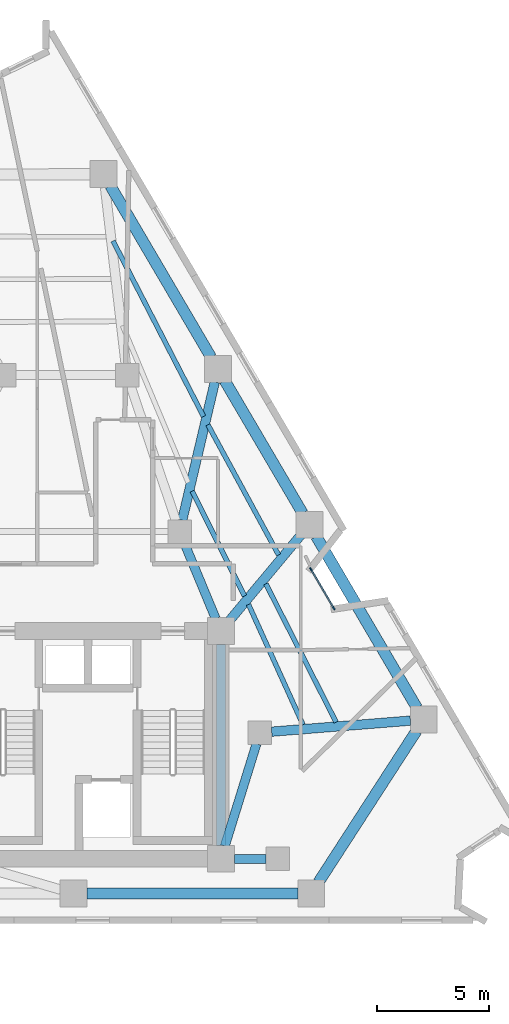
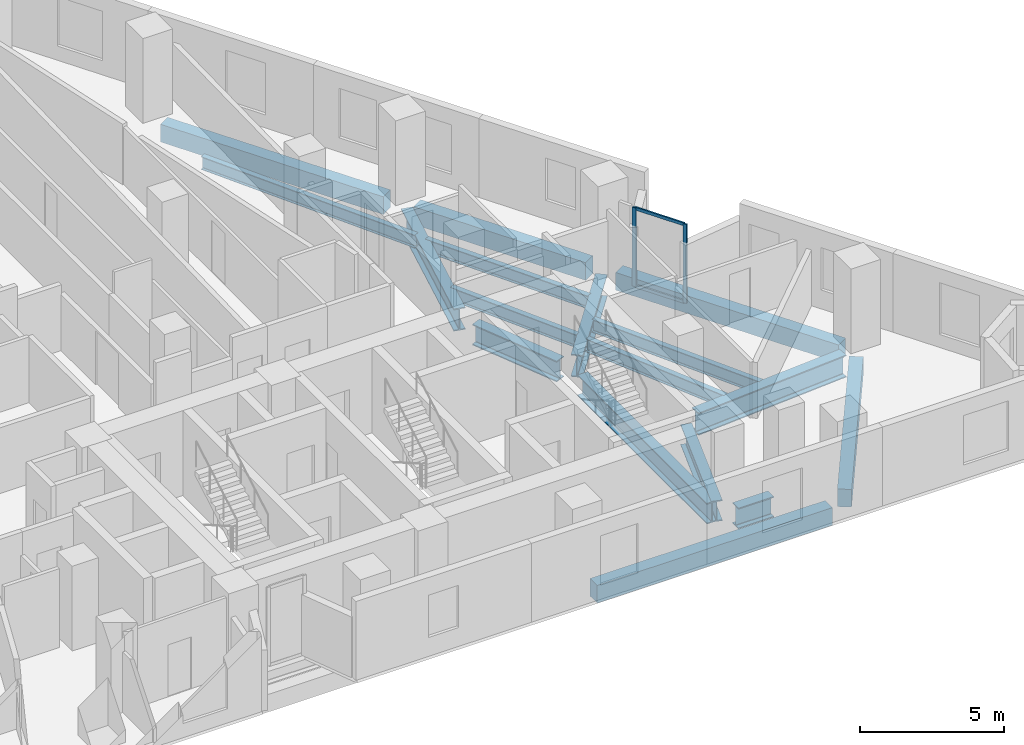
# One storey, part 4 of 12: 17 beams, 4 members, 1 element without a shape of its own.
"""IFC4 building model written with IfcOpenShell, lengths in metres."""

from ifc_helpers import new_model, si_unit, direction, frame, origin, origin_2d, place, context, subcontext, project, spatial, rectangle, i_section, extrude, material, layer, layer_set, material_profile, profile_set, type_object, element, aggregate, save


model = new_model("IFC4")

# Units and contexts
model_context = context("Model", 3, precision=1e-05, world=origin(), true_north=direction((0.0, 1.0)))
body_context = subcontext(model_context, "Body", "Model", "MODEL_VIEW")
ifc_project = project(units=[si_unit("LENGTHUNIT", "METRE"), si_unit("AREAUNIT", "SQUARE_METRE"), si_unit("VOLUMEUNIT", "CUBIC_METRE"), si_unit("PLANEANGLEUNIT", "RADIAN"), si_unit("MASSUNIT", "GRAM", prefix="KILO")], contexts=[model_context])

# Site, building, storey
site_placement = place(None, origin())
site = spatial("IfcSite", under=ifc_project, at=site_placement, CompositionType="ELEMENT")
building_placement = place(site_placement, origin())
building = spatial("IfcBuilding", under=site, at=building_placement, Name="Almagre Mirador Tower", CompositionType="ELEMENT")
storey_placement = place(building_placement, frame((0.0, 0.0, 121.199951171875)))
storey = spatial("IfcBuildingStorey", under=building, at=storey_placement, Name="L30", CompositionType="ELEMENT", Elevation=121.199951171875)

# Beams
ifc_material_1 = material(Name="Steel ASTM A992 Grade 50", Category="steel")
ifc_material_profile_1 = material_profile(ifc_material_1, i_section(OverallWidth=0.214111328125, OverallDepth=0.549072265625, WebThickness=0.0146484375, FlangeThickness=0.023681640625, FilletRadius=0.01806640625, at=origin_2d()), Name="W21X93")
ifc_profile_set_1 = profile_set([ifc_material_profile_1], Name="Steel ASTM A992 Grade 50")
beam_type_1 = type_object("IfcBeamType", Name="BM-JST-W21X93", PredefinedType="JOIST", material=ifc_profile_set_1)
beam_1_placement = place(storey_placement, frame((52.208984375, 10.667724609375, -0.5244140625), z_axis=(-0.452785638359, 0.891619406303, 0.0), x_axis=(-0.891619406303, -0.452785638359, 0.0)))
element("IfcBeam", 1, at=beam_1_placement, inside=storey, type_object=beam_type_1, Name="L30 secondary floor joist PC05-PC06.2", PredefinedType="JOIST", context=body_context, shape_type="SweptSolid", body=[
    extrude(i_section(OverallWidth=0.214111328125, OverallDepth=0.549072265625, WebThickness=0.0146484375, FlangeThickness=0.023681640625, FilletRadius=0.01806640625, at=origin_2d()), origin(), (0.0, 0.0, 1.0), 6.947021484375),
])
beam_2_placement = place(storey_placement, frame((50.726806640625, 10.552978515625, -0.5244140625), z_axis=(-0.412539238264, 0.910939831653, 0.0), x_axis=(-0.910939831653, -0.412539238264, 0.0)))
element("IfcBeam", 2, at=beam_2_placement, inside=storey, type_object=beam_type_1, Name="L30 secondary floor joist PC05-PC06.3", PredefinedType="JOIST", context=body_context, shape_type="SweptSolid", body=[
    extrude(i_section(OverallWidth=0.214111328125, OverallDepth=0.549072265625, WebThickness=0.0146484375, FlangeThickness=0.023681640625, FilletRadius=0.01806640625, at=origin_2d()), origin(), (0.0, 0.0, 1.0), 5.911376953125),
])
beam_3_placement = place(storey_placement, frame((49.63330078125, 18.156005859375, -0.5244140625), z_axis=(-0.477204081098, 0.878792503941, 0.0), x_axis=(-0.878792503941, -0.477204081098, 0.0)))
element("IfcBeam", 3, at=beam_3_placement, inside=storey, type_object=beam_type_1, Name="L30 secondary floor joist PC06-PC07.1", PredefinedType="JOIST", context=body_context, shape_type="SweptSolid", body=[
    extrude(i_section(OverallWidth=0.214111328125, OverallDepth=0.549072265625, WebThickness=0.0146484375, FlangeThickness=0.023681640625, FilletRadius=0.01806640625, at=origin_2d()), origin(), (0.0, 0.0, 1.0), 6.625244140625),
])
beam_4_placement = place(storey_placement, frame((48.1064453125, 16.31982421875, -0.5244140625), z_axis=(-0.446933948651, 0.894566959787, 0.0), x_axis=(-0.894566959787, -0.446933948651, 0.0)))
element("IfcBeam", 4, at=beam_4_placement, inside=storey, type_object=beam_type_1, Name="L30 secondary floor joist PC06-PC07.3", PredefinedType="JOIST", context=body_context, shape_type="SweptSolid", body=[
    extrude(i_section(OverallWidth=0.214111328125, OverallDepth=0.549072265625, WebThickness=0.0146484375, FlangeThickness=0.023681640625, FilletRadius=0.01806640625, at=origin_2d()), origin(), (0.0, 0.0, 1.0), 5.238525390625),
])
beam_5_placement = place(storey_placement, frame((46.27392578125, 24.352294921875, -0.5244140625), z_axis=(-0.458369241004, 0.888761857249, 0.0), x_axis=(-0.888761857249, -0.458369241004, 0.0)))
element("IfcBeam", 5, at=beam_5_placement, inside=storey, type_object=beam_type_1, Name="L30 secondary floor joist PC07-PC08.1", PredefinedType="JOIST", context=body_context, shape_type="SweptSolid", body=[
    extrude(i_section(OverallWidth=0.214111328125, OverallDepth=0.549072265625, WebThickness=0.0146484375, FlangeThickness=0.023681640625, FilletRadius=0.01806640625, at=origin_2d()), origin(), (0.0, 0.0, 1.0), 8.840087890625),
])
ifc_material_2 = material(Name="Precast concrete C50/60", Category="concrete")
ifc_material_profile_2 = material_profile(ifc_material_2, rectangle(XDim=0.5, YDim=0.75, at=origin_2d()), Name="RC500X750")
ifc_profile_set_2 = profile_set([ifc_material_profile_2], Name="Precast concrete C50/60")
beam_type_2 = type_object("IfcBeamType", Name="BM-SPN-RC500X750", PredefinedType="SPANDREL", material=ifc_profile_set_2)
beam_6_placement = place(storey_placement, frame((41.055908203125, 3.0, -0.625), z_axis=(1.0, 0.0, 0.0), x_axis=(0.0, 1.0, 0.0)))
element("IfcBeam", 6, at=beam_6_placement, inside=storey, type_object=beam_type_2, Name="L30 perimeter spandrel beam PC03-PC04", PredefinedType="SPANDREL", context=body_context, shape_type="SweptSolid", body=[
    extrude(rectangle(XDim=0.5, YDim=0.75, at=origin_2d()), origin(), (0.0, 0.0, 1.0), 9.440185546875),
])
beam_7_placement = place(storey_placement, frame((51.422119140625, 3.503662109375, -0.625), z_axis=(0.543242499017, 0.839575837707, 0.0), x_axis=(-0.839575837707, 0.543242499017, 0.0)))
element("IfcBeam", 7, at=beam_7_placement, inside=storey, type_object=beam_type_2, Name="L30 perimeter spandrel beam PC04-PC05", PredefinedType="SPANDREL", context=body_context, shape_type="SweptSolid", body=[
    extrude(rectangle(XDim=0.5, YDim=0.75, at=origin_2d()), origin(), (0.0, 0.0, 1.0), 8.071533203125),
])
beam_8_placement = place(storey_placement, frame((55.8291015625, 11.301513671875, -0.625), z_axis=(-0.506318387543, 0.862346618498, 0.0), x_axis=(-0.862346618498, -0.506318387543, 0.0)))
element("IfcBeam", 8, at=beam_8_placement, inside=storey, type_object=beam_type_2, Name="L30 perimeter spandrel beam PC05-PC06", PredefinedType="SPANDREL", context=body_context, shape_type="SweptSolid", body=[
    extrude(rectangle(XDim=0.5, YDim=0.75, at=origin_2d()), origin(), (0.0, 0.0, 1.0), 8.911865234375),
])
beam_9_placement = place(storey_placement, frame((50.709228515625, 20.021484375, -0.625), z_axis=(-0.506343227047, 0.862332033745, 0.0), x_axis=(-0.862332033745, -0.506343227047, 0.0)))
element("IfcBeam", 9, at=beam_9_placement, inside=storey, type_object=beam_type_2, Name="L30 perimeter spandrel beam PC06-PC07", PredefinedType="SPANDREL", context=body_context, shape_type="SweptSolid", body=[
    extrude(rectangle(XDim=0.5, YDim=0.75, at=origin_2d()), origin(), (0.0, 0.0, 1.0), 6.8896484375),
])
beam_10_placement = place(storey_placement, frame((46.61328125, 26.997314453125, -0.625), z_axis=(-0.506326798076, 0.862341680281, 0.0), x_axis=(-0.862341680281, -0.506326798076, 0.0)))
element("IfcBeam", 10, at=beam_10_placement, inside=storey, type_object=beam_type_2, Name="L30 perimeter spandrel beam PC07-PC08", PredefinedType="SPANDREL", context=body_context, shape_type="SweptSolid", body=[
    extrude(rectangle(XDim=0.5, YDim=0.75, at=origin_2d()), origin(), (0.0, 0.0, 1.0), 8.912109375),
])
ifc_material_3 = material(Name="Steel ASTM A992 Grade 50", Category="steel")
ifc_material_profile_3 = material_profile(ifc_material_3, i_section(OverallWidth=0.404052734375, OverallDepth=0.884033203125, WebThickness=0.0244140625, FlangeThickness=0.0439453125, FilletRadius=0.02490234375, at=origin_2d()), Name="W33X291")
ifc_profile_set_3 = profile_set([ifc_material_profile_3], Name="Steel ASTM A992 Grade 50")
beam_type_3 = type_object("IfcBeamType", Name="BM-STL-W33X291", PredefinedType="BEAM", material=ifc_profile_set_3)
beam_11_placement = place(storey_placement, frame((47.050048828125, 5.14990234375, -0.69189453125), z_axis=(0.0, 1.0, 0.0), x_axis=(-1.0, 0.0, 0.0)))
element("IfcBeam", 11, at=beam_11_placement, inside=storey, type_object=beam_type_3, Name="L30 core tie girder CC3-CC6", PredefinedType="BEAM", context=body_context, shape_type="SweptSolid", body=[
    extrude(i_section(OverallWidth=0.404052734375, OverallDepth=0.884033203125, WebThickness=0.0244140625, FlangeThickness=0.0439453125, FilletRadius=0.02490234375, at=origin_2d()), origin(), (0.0, 0.0, 1.0), 9.0),
])
beam_12_placement = place(storey_placement, frame((49.074951171875, 4.550048828125, -0.69189453125), z_axis=(-1.0, 0.0, 0.0), x_axis=(0.0, -1.0, 0.0)))
element("IfcBeam", 12, at=beam_12_placement, inside=storey, type_object=beam_type_3, Name="L30 core tie girder MC2-CC3", PredefinedType="BEAM", context=body_context, shape_type="SweptSolid", body=[
    extrude(i_section(OverallWidth=0.404052734375, OverallDepth=0.884033203125, WebThickness=0.0244140625, FlangeThickness=0.0439453125, FilletRadius=0.02490234375, at=origin_2d()), origin(), (0.0, 0.0, 1.0), 1.425048828125),
])
beam_13_placement = place(storey_placement, frame((48.644775390625, 9.698486328125, -0.69189453125), z_axis=(-0.295879743348, -0.955225197258, 0.0), x_axis=(0.955225197258, -0.295879743348, 0.0)))
element("IfcBeam", 13, at=beam_13_placement, inside=storey, type_object=beam_type_3, Name="L30 core tie girder MC3-CC3", PredefinedType="BEAM", context=body_context, shape_type="SweptSolid", body=[
    extrude(i_section(OverallWidth=0.404052734375, OverallDepth=0.884033203125, WebThickness=0.0244140625, FlangeThickness=0.0439453125, FilletRadius=0.02490234375, at=origin_2d()), origin(), (0.0, 0.0, 1.0), 4.789794921875),
])
beam_14_placement = place(storey_placement, frame((45.401611328125, 18.715087890625, -0.69189453125), z_axis=(0.383845645019, -0.923397271384, 0.0), x_axis=(0.923397271384, 0.383845645019, 0.0)))
element("IfcBeam", 14, at=beam_14_placement, inside=storey, type_object=beam_type_3, Name="L30 core tie girder MC5-CC6", PredefinedType="BEAM", context=body_context, shape_type="SweptSolid", body=[
    extrude(i_section(OverallWidth=0.404052734375, OverallDepth=0.884033203125, WebThickness=0.0244140625, FlangeThickness=0.0439453125, FilletRadius=0.02490234375, at=origin_2d()), origin(), (0.0, 0.0, 1.0), 3.694091796875),
])
ifc_material_4 = material(Name="Steel ASTM A992 Grade 50", Category="steel")
ifc_material_profile_4 = material_profile(ifc_material_4, i_section(OverallWidth=0.423095703125, OverallDepth=0.947998046875, WebThickness=0.02392578125, FlangeThickness=0.042724609375, FilletRadius=0.028076171875, at=origin_2d()), Name="W36X302")
ifc_profile_set_4 = profile_set([ifc_material_profile_4], Name="Steel ASTM A992 Grade 50")
beam_type_4 = type_object("IfcBeamType", Name="BM-STL-W36X302", PredefinedType="BEAM", material=ifc_profile_set_4)
beam_15_placement = place(storey_placement, frame((55.534912109375, 10.736328125, -0.723876953125), z_axis=(-0.996844611006, -0.079377714181, 0.0), x_axis=(0.079377714181, -0.996844611006, 0.0)))
element("IfcBeam", 15, at=beam_15_placement, inside=storey, type_object=beam_type_4, Name="L30 radial floor girder PC05-MC3", PredefinedType="BEAM", context=body_context, shape_type="SweptSolid", body=[
    extrude(i_section(OverallWidth=0.423095703125, OverallDepth=0.947998046875, WebThickness=0.02392578125, FlangeThickness=0.042724609375, FilletRadius=0.028076171875, at=origin_2d()), origin(), (0.0, 0.0, 1.0), 6.2314453125),
])
beam_16_placement = place(storey_placement, frame((50.62890625, 19.043212890625, -0.723876953125), z_axis=(-0.640333592282, -0.768096927865, 0.0), x_axis=(0.768096927865, -0.640333592282, 0.0)))
element("IfcBeam", 16, at=beam_16_placement, inside=storey, type_object=beam_type_4, Name="L30 radial floor girder PC06-CC6", PredefinedType="BEAM", context=body_context, shape_type="SweptSolid", body=[
    extrude(i_section(OverallWidth=0.423095703125, OverallDepth=0.947998046875, WebThickness=0.02392578125, FlangeThickness=0.042724609375, FilletRadius=0.028076171875, at=origin_2d()), origin(), (0.0, 0.0, 1.0), 4.9892578125),
])
beam_17_placement = place(storey_placement, frame((46.779296875, 25.89599609375, -0.723876953125), z_axis=(-0.229551088102, -0.973296613552, 0.0), x_axis=(0.973296613552, -0.229551088102, 0.0)))
element("IfcBeam", 17, at=beam_17_placement, inside=storey, type_object=beam_type_4, Name="L30 radial floor girder PC07-MC5", PredefinedType="BEAM", context=body_context, shape_type="SweptSolid", body=[
    extrude(i_section(OverallWidth=0.423095703125, OverallDepth=0.947998046875, WebThickness=0.02392578125, FlangeThickness=0.042724609375, FilletRadius=0.028076171875, at=origin_2d()), origin(), (0.0, 0.0, 1.0), 6.354736328125),
])

# Curtain wall, members
ifc_material_5 = material(Name="Black anodized aluminium", Category="aluminium")
ifc_layer = layer(ifc_material_5, 0.169921875)
ifc_layer_set = layer_set([ifc_layer], Name="Black anodized aluminium")
curtain_wall_type = type_object("IfcCurtainWallType", Name="CW-CRS-SYS", PredefinedType="NOTDEFINED", material=ifc_layer_set)
curtain_wall_placement = place(storey_placement, origin())
curtain_wall = element("IfcCurtainWall", 18, at=curtain_wall_placement, inside=storey, type_object=curtain_wall_type, Name="L30 vertical crease curtain wall 03", PredefinedType="NOTDEFINED")
ifc_material_6 = material(Name="Black anodized aluminium", Category="aluminium")
ifc_material_profile_5 = material_profile(ifc_material_6, rectangle(XDim=0.06005859375, YDim=0.14990234375, at=origin_2d()), Name="CWM60X150")
ifc_profile_set_5 = profile_set([ifc_material_profile_5], Name="Black anodized aluminium")
member_type_1 = type_object("IfcMemberType", Name="MBR-CWM60X150", PredefinedType="MULLION", material=ifc_profile_set_5)
member_1_placement = place(storey_placement, frame((51.080078125, 17.51416015625, 0.0), z_axis=(0.0, 0.0, 1.0), x_axis=(0.862352194251, 0.506308890966, 0.0)))
member_1 = element("IfcMember", 19, at=member_1_placement, type_object=member_type_1, Name="CW-4 mullion 1", PredefinedType="MULLION", context=body_context, shape_type="SweptSolid", body=[
    extrude(rectangle(XDim=0.06005859375, YDim=0.14990234375, at=origin_2d()), origin(), (0.0, 0.0, 1.0), 3.35009765625),
])
member_2_placement = place(storey_placement, frame((52.10791015625, 15.763916015625, 0.0), z_axis=(0.0, 0.0, 1.0), x_axis=(0.862352194251, 0.506308890966, 0.0)))
member_2 = element("IfcMember", 20, at=member_2_placement, type_object=member_type_1, Name="CW-4 mullion 2", PredefinedType="MULLION", context=body_context, shape_type="SweptSolid", body=[
    extrude(rectangle(XDim=0.06005859375, YDim=0.14990234375, at=origin_2d()), origin(), (0.0, 0.0, 1.0), 3.35009765625),
])
ifc_material_7 = material(Name="Black anodized aluminium", Category="aluminium")
ifc_material_profile_6 = material_profile(ifc_material_7, rectangle(XDim=0.06005859375, YDim=0.1298828125, at=origin_2d()), Name="CWT60X130")
ifc_profile_set_6 = profile_set([ifc_material_profile_6], Name="Black anodized aluminium")
member_type_2 = type_object("IfcMemberType", Name="MBR-CWT60X130", PredefinedType="USERDEFINED", material=ifc_profile_set_6)
member_3_placement = place(storey_placement, frame((51.095458984375, 17.48828125, 0.030029296875), z_axis=(0.506250674569, -0.862386371934, 0.0), x_axis=(0.862386371934, 0.506250674569, 0.0)))
member_3 = element("IfcMember", 21, at=member_3_placement, type_object=member_type_2, Name="CW-4 transom 1.1", ObjectType="TRANSOM", PredefinedType="USERDEFINED", context=body_context, shape_type="SweptSolid", body=[
    extrude(rectangle(XDim=0.06005859375, YDim=0.1298828125, at=origin_2d()), origin(), (0.0, 0.0, 1.0), 1.969482421875),
])
member_4_placement = place(storey_placement, frame((51.095458984375, 17.48828125, 3.320068359375), z_axis=(0.506250674569, -0.862386371934, 0.0), x_axis=(0.862386371934, 0.506250674569, 0.0)))
member_4 = element("IfcMember", 22, at=member_4_placement, type_object=member_type_2, Name="CW-4 transom 1.2", ObjectType="TRANSOM", PredefinedType="USERDEFINED", context=body_context, shape_type="SweptSolid", body=[
    extrude(rectangle(XDim=0.06005859375, YDim=0.1298828125, at=origin_2d()), origin(), (0.0, 0.0, 1.0), 1.969482421875),
])
aggregate(curtain_wall, [member_1, member_2, member_3, member_4])

save(model, "model.ifc")
